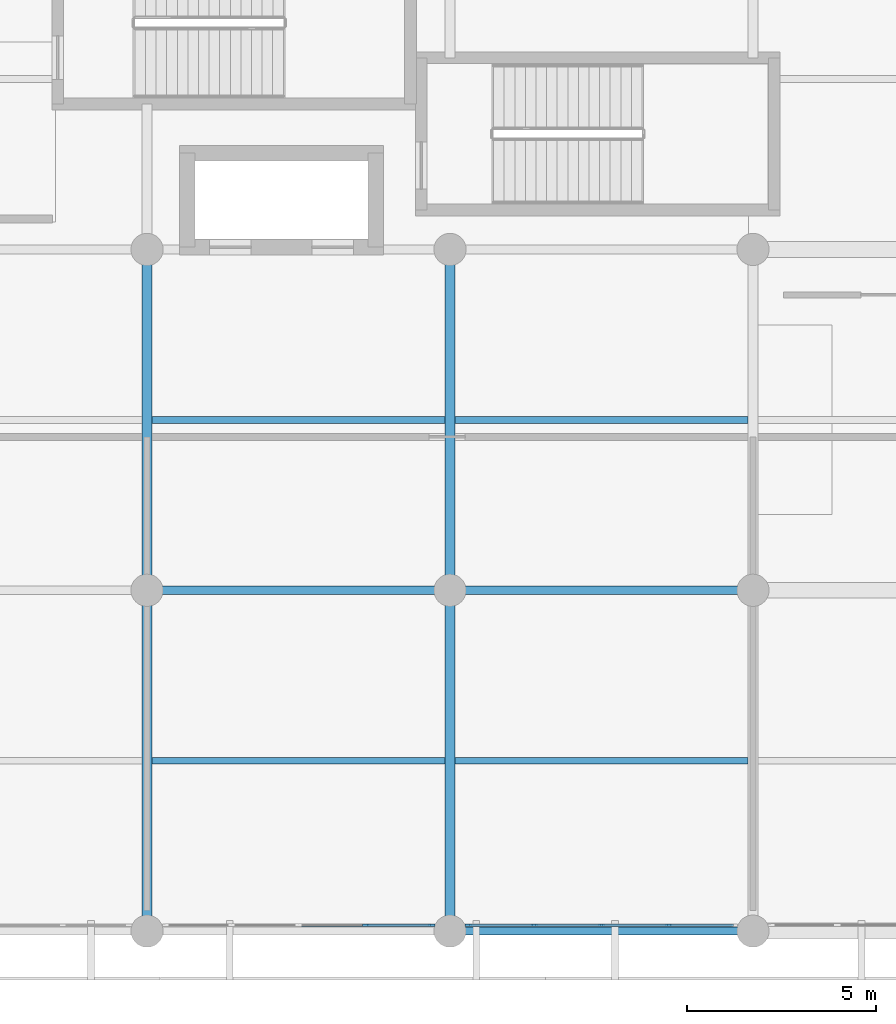
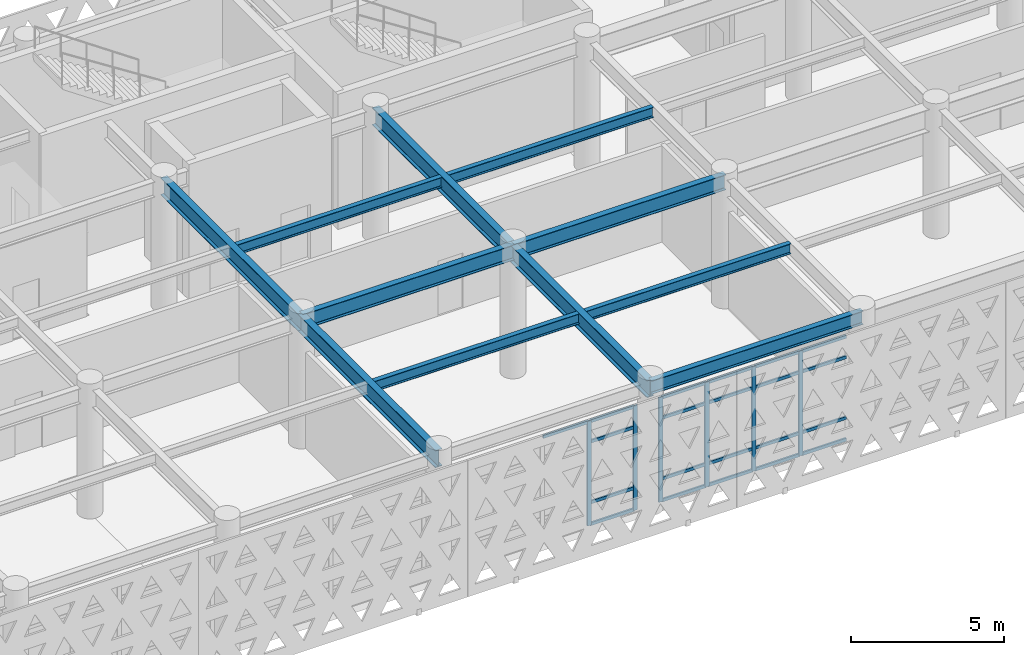
# One storey, part 21 of 84: 27 members, 11 beams, 2 elements without a shape of their own.
"""IFC4 building model written with IfcOpenShell, lengths in metres."""

from ifc_helpers import new_model, si_unit, direction, frame, origin, origin_2d, place, context, subcontext, project, spatial, rectangle, i_section, extrude, material, layer, layer_set, material_profile, profile_set, type_object, element, aggregate, save


model = new_model("IFC4")

# Units and contexts
model_context = context("Model", 3, precision=1e-05, world=origin(), true_north=direction((0.0, 1.0)))
body_context = subcontext(model_context, "Body", "Model", "MODEL_VIEW")
ifc_project = project(units=[si_unit("LENGTHUNIT", "METRE"), si_unit("AREAUNIT", "SQUARE_METRE"), si_unit("VOLUMEUNIT", "CUBIC_METRE"), si_unit("PLANEANGLEUNIT", "RADIAN"), si_unit("MASSUNIT", "GRAM", prefix="KILO")], contexts=[model_context])

# Site, building, storey
site_placement = place(None, origin())
site = spatial("IfcSite", under=ifc_project, at=site_placement, CompositionType="ELEMENT")
building_placement = place(site_placement, origin())
building = spatial("IfcBuilding", under=site, at=building_placement, Name="Tlacozan Convention Centre", CompositionType="ELEMENT")
storey_placement = place(building_placement, frame((0.0, 0.0, 6.0)))
storey = spatial("IfcBuildingStorey", under=building, at=storey_placement, Name="L01", CompositionType="ELEMENT", Elevation=6.0)

# Curtain wall, members
ifc_material_1 = material(Name="Dark Bronze Anodised Aluminium", Category="aluminium")
ifc_layer = layer(ifc_material_1, 0.159912109375)
ifc_layer_set = layer_set([ifc_layer], Name="Dark Bronze Anodised Aluminium")
curtain_wall_type = type_object("IfcCurtainWallType", Name="Unitised Congress L01 South CW02", PredefinedType="NOTDEFINED", material=ifc_layer_set)
curtain_wall_1_placement = place(storey_placement, origin())
curtain_wall_1 = element("IfcCurtainWall", 1, at=curtain_wall_1_placement, inside=storey, type_object=curtain_wall_type, Name="L01 CW-02 Run 65", PredefinedType="NOTDEFINED")
ifc_material_profile_1 = material_profile(ifc_material_1, rectangle(XDim=0.06494140625, YDim=0.159912109375, at=origin_2d()), Name="ALU 65x160")
ifc_profile_set_1 = profile_set([ifc_material_profile_1], Name="Dark Bronze Anodised Aluminium")
member_type_1 = type_object("IfcMemberType", Name="Curtain Wall Mullion 65x160", PredefinedType="MULLION", material=ifc_profile_set_1)
member_1_placement = place(storey_placement, frame((85.77490234375, 0.159912109375, 0.0), z_axis=(0.0, 0.0, 1.0), x_axis=(0.0, 1.0, 0.0)))
member_1 = element("IfcMember", 2, at=member_1_placement, type_object=member_type_1, Name="CW-02 mullion 4", PredefinedType="MULLION", context=body_context, shape_type="SweptSolid", body=[
    extrude(rectangle(XDim=0.06494140625, YDim=0.159912109375, at=origin_2d()), origin(), (0.0, 0.0, 1.0), 4.179931640625),
])
member_2_placement = place(storey_placement, frame((87.517578125, 0.159912109375, 0.0), z_axis=(0.0, 0.0, 1.0), x_axis=(0.0, 1.0, 0.0)))
member_2 = element("IfcMember", 3, at=member_2_placement, type_object=member_type_1, Name="CW-02 mullion 5", PredefinedType="MULLION", context=body_context, shape_type="SweptSolid", body=[
    extrude(rectangle(XDim=0.06494140625, YDim=0.159912109375, at=origin_2d()), origin(), (0.0, 0.0, 1.0), 4.179931640625),
])

curtain_wall_2_placement = place(storey_placement, origin())
curtain_wall_2 = element("IfcCurtainWall", 4, at=curtain_wall_2_placement, inside=storey, type_object=curtain_wall_type, Name="L01 CW-02 Run 66", PredefinedType="NOTDEFINED")
member_3_placement = place(storey_placement, frame((88.482421875, 0.159912109375, 0.0), z_axis=(0.0, 0.0, 1.0), x_axis=(0.0, 1.0, 0.0)))
member_3 = element("IfcMember", 5, at=member_3_placement, type_object=member_type_1, Name="CW-02 mullion 1", PredefinedType="MULLION", context=body_context, shape_type="SweptSolid", body=[
    extrude(rectangle(XDim=0.06494140625, YDim=0.159912109375, at=origin_2d()), origin(), (0.0, 0.0, 1.0), 4.179931640625),
])
member_4_placement = place(storey_placement, frame((90.22509765625, 0.159912109375, 0.0), z_axis=(0.0, 0.0, 1.0), x_axis=(0.0, 1.0, 0.0)))
member_4 = element("IfcMember", 6, at=member_4_placement, type_object=member_type_1, Name="CW-02 mullion 2", PredefinedType="MULLION", context=body_context, shape_type="SweptSolid", body=[
    extrude(rectangle(XDim=0.06494140625, YDim=0.159912109375, at=origin_2d()), origin(), (0.0, 0.0, 1.0), 4.179931640625),
])
member_5_placement = place(storey_placement, frame((92.0, 0.159912109375, 0.0), z_axis=(0.0, 0.0, 1.0), x_axis=(0.0, 1.0, 0.0)))
member_5 = element("IfcMember", 7, at=member_5_placement, type_object=member_type_1, Name="CW-02 mullion 3", PredefinedType="MULLION", context=body_context, shape_type="SweptSolid", body=[
    extrude(rectangle(XDim=0.06494140625, YDim=0.159912109375, at=origin_2d()), origin(), (0.0, 0.0, 1.0), 4.179931640625),
])
member_6_placement = place(storey_placement, frame((93.77490234375, 0.159912109375, 0.0), z_axis=(0.0, 0.0, 1.0), x_axis=(0.0, 1.0, 0.0)))
member_6 = element("IfcMember", 8, at=member_6_placement, type_object=member_type_1, Name="CW-02 mullion 4", PredefinedType="MULLION", context=body_context, shape_type="SweptSolid", body=[
    extrude(rectangle(XDim=0.06494140625, YDim=0.159912109375, at=origin_2d()), origin(), (0.0, 0.0, 1.0), 4.179931640625),
])

# Member
ifc_material_profile_2 = material_profile(ifc_material_1, rectangle(XDim=0.06494140625, YDim=0.125, at=origin_2d()), Name="ALU 65x125")
ifc_profile_set_2 = profile_set([ifc_material_profile_2], Name="Dark Bronze Anodised Aluminium")
member_type_2 = type_object("IfcMemberType", Name="Curtain Wall Transom 65x125", PredefinedType="USERDEFINED", material=ifc_profile_set_2)
member_7_placement = place(storey_placement, frame((84.032470703125, 0.159912109375, 4.1474609375), z_axis=(1.0, 0.0, 0.0), x_axis=(0.0, 1.0, 0.0)))
member_7 = element("IfcMember", 9, at=member_7_placement, type_object=member_type_2, Name="CW-02 transom 3.4", ObjectType="TRANSOM", PredefinedType="USERDEFINED", context=body_context, shape_type="SweptSolid", body=[
    extrude(rectangle(XDim=0.06494140625, YDim=0.125, at=origin_2d()), origin(), (0.0, 0.0, 1.0), 1.7099609375),
])

member_8_placement = place(storey_placement, frame((85.8076171875, 0.159912109375, 0.032470703125), z_axis=(1.0, 0.0, 0.0), x_axis=(0.0, 1.0, 0.0)))
member_8 = element("IfcMember", 10, at=member_8_placement, type_object=member_type_2, Name="CW-02 transom 4.1", ObjectType="TRANSOM", PredefinedType="USERDEFINED", context=body_context, shape_type="SweptSolid", body=[
    extrude(rectangle(XDim=0.06494140625, YDim=0.125, at=origin_2d()), origin(), (0.0, 0.0, 1.0), 1.677490234375),
])

member_9_placement = place(storey_placement, frame((85.8076171875, 0.159912109375, 0.89990234375), z_axis=(1.0, 0.0, 0.0), x_axis=(0.0, 1.0, 0.0)))
member_9 = element("IfcMember", 11, at=member_9_placement, type_object=member_type_2, Name="CW-02 transom 4.2", ObjectType="TRANSOM", PredefinedType="USERDEFINED", context=body_context, shape_type="SweptSolid", body=[
    extrude(rectangle(XDim=0.06494140625, YDim=0.125, at=origin_2d()), origin(), (0.0, 0.0, 1.0), 1.677490234375),
])

member_10_placement = place(storey_placement, frame((85.8076171875, 0.159912109375, 3.330078125), z_axis=(1.0, 0.0, 0.0), x_axis=(0.0, 1.0, 0.0)))
member_10 = element("IfcMember", 12, at=member_10_placement, type_object=member_type_2, Name="CW-02 transom 4.3", ObjectType="TRANSOM", PredefinedType="USERDEFINED", context=body_context, shape_type="SweptSolid", body=[
    extrude(rectangle(XDim=0.06494140625, YDim=0.125, at=origin_2d()), origin(), (0.0, 0.0, 1.0), 1.677490234375),
])

member_11_placement = place(storey_placement, frame((85.8076171875, 0.159912109375, 4.1474609375), z_axis=(1.0, 0.0, 0.0), x_axis=(0.0, 1.0, 0.0)))
member_11 = element("IfcMember", 13, at=member_11_placement, type_object=member_type_2, Name="CW-02 transom 4.4", ObjectType="TRANSOM", PredefinedType="USERDEFINED", context=body_context, shape_type="SweptSolid", body=[
    extrude(rectangle(XDim=0.06494140625, YDim=0.125, at=origin_2d()), origin(), (0.0, 0.0, 1.0), 1.677490234375),
])

aggregate(curtain_wall_1, [member_1, member_2, member_7, member_8, member_9, member_10, member_11])

member_12_placement = place(storey_placement, frame((88.514892578125, 0.159912109375, 0.032470703125), z_axis=(1.0, 0.0, 0.0), x_axis=(0.0, 1.0, 0.0)))
member_12 = element("IfcMember", 14, at=member_12_placement, type_object=member_type_2, Name="CW-02 transom 1.1", ObjectType="TRANSOM", PredefinedType="USERDEFINED", context=body_context, shape_type="SweptSolid", body=[
    extrude(rectangle(XDim=0.06494140625, YDim=0.125, at=origin_2d()), origin(), (0.0, 0.0, 1.0), 1.677490234375),
])

member_13_placement = place(storey_placement, frame((88.514892578125, 0.159912109375, 0.89990234375), z_axis=(1.0, 0.0, 0.0), x_axis=(0.0, 1.0, 0.0)))
member_13 = element("IfcMember", 15, at=member_13_placement, type_object=member_type_2, Name="CW-02 transom 1.2", ObjectType="TRANSOM", PredefinedType="USERDEFINED", context=body_context, shape_type="SweptSolid", body=[
    extrude(rectangle(XDim=0.06494140625, YDim=0.125, at=origin_2d()), origin(), (0.0, 0.0, 1.0), 1.677490234375),
])

member_14_placement = place(storey_placement, frame((88.514892578125, 0.159912109375, 3.330078125), z_axis=(1.0, 0.0, 0.0), x_axis=(0.0, 1.0, 0.0)))
member_14 = element("IfcMember", 16, at=member_14_placement, type_object=member_type_2, Name="CW-02 transom 1.3", ObjectType="TRANSOM", PredefinedType="USERDEFINED", context=body_context, shape_type="SweptSolid", body=[
    extrude(rectangle(XDim=0.06494140625, YDim=0.125, at=origin_2d()), origin(), (0.0, 0.0, 1.0), 1.677490234375),
])

member_15_placement = place(storey_placement, frame((88.514892578125, 0.159912109375, 4.1474609375), z_axis=(1.0, 0.0, 0.0), x_axis=(0.0, 1.0, 0.0)))
member_15 = element("IfcMember", 17, at=member_15_placement, type_object=member_type_2, Name="CW-02 transom 1.4", ObjectType="TRANSOM", PredefinedType="USERDEFINED", context=body_context, shape_type="SweptSolid", body=[
    extrude(rectangle(XDim=0.06494140625, YDim=0.125, at=origin_2d()), origin(), (0.0, 0.0, 1.0), 1.677490234375),
])

member_16_placement = place(storey_placement, frame((90.257568359375, 0.159912109375, 0.032470703125), z_axis=(1.0, 0.0, 0.0), x_axis=(0.0, 1.0, 0.0)))
member_16 = element("IfcMember", 18, at=member_16_placement, type_object=member_type_2, Name="CW-02 transom 2.1", ObjectType="TRANSOM", PredefinedType="USERDEFINED", context=body_context, shape_type="SweptSolid", body=[
    extrude(rectangle(XDim=0.06494140625, YDim=0.125, at=origin_2d()), origin(), (0.0, 0.0, 1.0), 1.7099609375),
])

member_17_placement = place(storey_placement, frame((90.257568359375, 0.159912109375, 0.89990234375), z_axis=(1.0, 0.0, 0.0), x_axis=(0.0, 1.0, 0.0)))
member_17 = element("IfcMember", 19, at=member_17_placement, type_object=member_type_2, Name="CW-02 transom 2.2", ObjectType="TRANSOM", PredefinedType="USERDEFINED", context=body_context, shape_type="SweptSolid", body=[
    extrude(rectangle(XDim=0.06494140625, YDim=0.125, at=origin_2d()), origin(), (0.0, 0.0, 1.0), 1.7099609375),
])

member_18_placement = place(storey_placement, frame((90.257568359375, 0.159912109375, 3.330078125), z_axis=(1.0, 0.0, 0.0), x_axis=(0.0, 1.0, 0.0)))
member_18 = element("IfcMember", 20, at=member_18_placement, type_object=member_type_2, Name="CW-02 transom 2.3", ObjectType="TRANSOM", PredefinedType="USERDEFINED", context=body_context, shape_type="SweptSolid", body=[
    extrude(rectangle(XDim=0.06494140625, YDim=0.125, at=origin_2d()), origin(), (0.0, 0.0, 1.0), 1.7099609375),
])

member_19_placement = place(storey_placement, frame((90.257568359375, 0.159912109375, 4.1474609375), z_axis=(1.0, 0.0, 0.0), x_axis=(0.0, 1.0, 0.0)))
member_19 = element("IfcMember", 21, at=member_19_placement, type_object=member_type_2, Name="CW-02 transom 2.4", ObjectType="TRANSOM", PredefinedType="USERDEFINED", context=body_context, shape_type="SweptSolid", body=[
    extrude(rectangle(XDim=0.06494140625, YDim=0.125, at=origin_2d()), origin(), (0.0, 0.0, 1.0), 1.7099609375),
])

member_20_placement = place(storey_placement, frame((92.032470703125, 0.159912109375, 0.032470703125), z_axis=(1.0, 0.0, 0.0), x_axis=(0.0, 1.0, 0.0)))
member_20 = element("IfcMember", 22, at=member_20_placement, type_object=member_type_2, Name="CW-02 transom 3.1", ObjectType="TRANSOM", PredefinedType="USERDEFINED", context=body_context, shape_type="SweptSolid", body=[
    extrude(rectangle(XDim=0.06494140625, YDim=0.125, at=origin_2d()), origin(), (0.0, 0.0, 1.0), 1.7099609375),
])

member_21_placement = place(storey_placement, frame((92.032470703125, 0.159912109375, 0.89990234375), z_axis=(1.0, 0.0, 0.0), x_axis=(0.0, 1.0, 0.0)))
member_21 = element("IfcMember", 23, at=member_21_placement, type_object=member_type_2, Name="CW-02 transom 3.2", ObjectType="TRANSOM", PredefinedType="USERDEFINED", context=body_context, shape_type="SweptSolid", body=[
    extrude(rectangle(XDim=0.06494140625, YDim=0.125, at=origin_2d()), origin(), (0.0, 0.0, 1.0), 1.7099609375),
])

member_22_placement = place(storey_placement, frame((92.032470703125, 0.159912109375, 3.330078125), z_axis=(1.0, 0.0, 0.0), x_axis=(0.0, 1.0, 0.0)))
member_22 = element("IfcMember", 24, at=member_22_placement, type_object=member_type_2, Name="CW-02 transom 3.3", ObjectType="TRANSOM", PredefinedType="USERDEFINED", context=body_context, shape_type="SweptSolid", body=[
    extrude(rectangle(XDim=0.06494140625, YDim=0.125, at=origin_2d()), origin(), (0.0, 0.0, 1.0), 1.7099609375),
])

member_23_placement = place(storey_placement, frame((92.032470703125, 0.159912109375, 4.1474609375), z_axis=(1.0, 0.0, 0.0), x_axis=(0.0, 1.0, 0.0)))
member_23 = element("IfcMember", 25, at=member_23_placement, type_object=member_type_2, Name="CW-02 transom 3.4", ObjectType="TRANSOM", PredefinedType="USERDEFINED", context=body_context, shape_type="SweptSolid", body=[
    extrude(rectangle(XDim=0.06494140625, YDim=0.125, at=origin_2d()), origin(), (0.0, 0.0, 1.0), 1.7099609375),
])

member_24_placement = place(storey_placement, frame((93.8076171875, 0.159912109375, 0.032470703125), z_axis=(1.0, 0.0, 0.0), x_axis=(0.0, 1.0, 0.0)))
member_24 = element("IfcMember", 26, at=member_24_placement, type_object=member_type_2, Name="CW-02 transom 4.1", ObjectType="TRANSOM", PredefinedType="USERDEFINED", context=body_context, shape_type="SweptSolid", body=[
    extrude(rectangle(XDim=0.06494140625, YDim=0.125, at=origin_2d()), origin(), (0.0, 0.0, 1.0), 1.677490234375),
])

member_25_placement = place(storey_placement, frame((93.8076171875, 0.159912109375, 0.89990234375), z_axis=(1.0, 0.0, 0.0), x_axis=(0.0, 1.0, 0.0)))
member_25 = element("IfcMember", 27, at=member_25_placement, type_object=member_type_2, Name="CW-02 transom 4.2", ObjectType="TRANSOM", PredefinedType="USERDEFINED", context=body_context, shape_type="SweptSolid", body=[
    extrude(rectangle(XDim=0.06494140625, YDim=0.125, at=origin_2d()), origin(), (0.0, 0.0, 1.0), 1.677490234375),
])

member_26_placement = place(storey_placement, frame((93.8076171875, 0.159912109375, 3.330078125), z_axis=(1.0, 0.0, 0.0), x_axis=(0.0, 1.0, 0.0)))
member_26 = element("IfcMember", 28, at=member_26_placement, type_object=member_type_2, Name="CW-02 transom 4.3", ObjectType="TRANSOM", PredefinedType="USERDEFINED", context=body_context, shape_type="SweptSolid", body=[
    extrude(rectangle(XDim=0.06494140625, YDim=0.125, at=origin_2d()), origin(), (0.0, 0.0, 1.0), 1.677490234375),
])

member_27_placement = place(storey_placement, frame((93.8076171875, 0.159912109375, 4.1474609375), z_axis=(1.0, 0.0, 0.0), x_axis=(0.0, 1.0, 0.0)))
member_27 = element("IfcMember", 29, at=member_27_placement, type_object=member_type_2, Name="CW-02 transom 4.4", ObjectType="TRANSOM", PredefinedType="USERDEFINED", context=body_context, shape_type="SweptSolid", body=[
    extrude(rectangle(XDim=0.06494140625, YDim=0.125, at=origin_2d()), origin(), (0.0, 0.0, 1.0), 1.677490234375),
])

aggregate(curtain_wall_2, [member_3, member_4, member_5, member_6, member_12, member_13, member_14, member_15, member_16, member_17, member_18, member_19, member_20, member_21, member_22, member_23, member_24, member_25, member_26, member_27])

# Beams
ifc_material_2 = material(Name="Steel ASTM A992 Grade 50", Category="steel")
ifc_material_profile_3 = material_profile(ifc_material_2, i_section(OverallWidth=0.22900390625, OverallDepth=0.612060546875, WebThickness=0.011962890625, FlangeThickness=0.01953125, FilletRadius=0.012939453125, at=origin_2d()), Name="IR 610x125.0")
ifc_profile_set_3 = profile_set([ifc_material_profile_3], Name="Steel ASTM A992 Grade 50")
beam_type_1 = type_object("IfcBeamType", Name="Floor Beam IR 610x125", PredefinedType="BEAM", material=ifc_profile_set_3)
for number, where, z_axis, x_axis, name in (
    (30, (80.0, 9.0, 4.833984375), (1.0, 0.0, 0.0), (0.0, 1.0, 0.0), "L01 Floor Beam IR 610x125 356"),
    (31, (88.0, 9.0, 4.833984375), (1.0, 0.0, 0.0), (0.0, 1.0, 0.0), "L01 Floor Beam IR 610x125 360"),
):
    element("IfcBeam", number, at=place(storey_placement, frame(where, z_axis=z_axis, x_axis=x_axis)), inside=storey, type_object=beam_type_1, Name=name, PredefinedType="BEAM", context=body_context, shape_type="SweptSolid", body=[
        extrude(i_section(OverallWidth=0.22900390625, OverallDepth=0.612060546875, WebThickness=0.011962890625, FlangeThickness=0.01953125, FilletRadius=0.012939453125, at=origin_2d()), origin(), (0.0, 0.0, 1.0), 8.0),
    ])
ifc_material_profile_4 = material_profile(ifc_material_2, i_section(OverallWidth=0.256103515625, OverallDepth=0.693115234375, WebThickness=0.014404296875, FlangeThickness=0.023681640625, FilletRadius=0.014892578125, at=origin_2d()), Name="IR 686x170.0")
ifc_profile_set_4 = profile_set([ifc_material_profile_4], Name="Steel ASTM A992 Grade 50")
beam_type_2 = type_object("IfcBeamType", Name="Girder Steel IR 686x170", PredefinedType="BEAM", material=ifc_profile_set_4)
for number, where, z_axis, x_axis, name in (
    (32, (80.0, 0.0, 4.79345703125), (0.0, 1.0, 0.0), (-1.0, 0.0, 0.0), "L01 Girder Steel IR 686x170 290"),
    (33, (80.0, 9.0, 4.79345703125), (0.0, 1.0, 0.0), (-1.0, 0.0, 0.0), "L01 Girder Steel IR 686x170 291"),
    (34, (88.0, 0.0, 4.79345703125), (0.0, 1.0, 0.0), (-1.0, 0.0, 0.0), "L01 Girder Steel IR 686x170 293"),
    (35, (88.0, 9.0, 4.79345703125), (0.0, 1.0, 0.0), (-1.0, 0.0, 0.0), "L01 Girder Steel IR 686x170 294"),
):
    element("IfcBeam", number, at=place(storey_placement, frame(where, z_axis=z_axis, x_axis=x_axis)), inside=storey, type_object=beam_type_2, Name=name, PredefinedType="BEAM", context=body_context, shape_type="SweptSolid", body=[
        extrude(i_section(OverallWidth=0.256103515625, OverallDepth=0.693115234375, WebThickness=0.014404296875, FlangeThickness=0.023681640625, FilletRadius=0.014892578125, at=origin_2d()), origin(), (0.0, 0.0, 1.0), 9.0),
    ])
ifc_material_profile_5 = material_profile(ifc_material_2, i_section(OverallWidth=0.2109375, OverallDepth=0.5390625, WebThickness=0.01171875, FlangeThickness=0.018798828125, FilletRadius=0.012939453125, at=origin_2d()), Name="IR 533x109.0")
ifc_profile_set_5 = profile_set([ifc_material_profile_5], Name="Steel ASTM A992 Grade 50")
beam_type_3 = type_object("IfcBeamType", Name="Perimeter Spandrel IR 533x109", PredefinedType="SPANDREL", material=ifc_profile_set_5)
beam_placement = place(storey_placement, frame((88.0, 0.0, 4.87060546875), z_axis=(1.0, 0.0, 0.0), x_axis=(0.0, 1.0, 0.0)))
element("IfcBeam", 36, at=beam_placement, inside=storey, type_object=beam_type_3, Name="L01 Perimeter Spandrel IR 533x109 359", PredefinedType="SPANDREL", context=body_context, shape_type="SweptSolid", body=[
    extrude(i_section(OverallWidth=0.2109375, OverallDepth=0.5390625, WebThickness=0.01171875, FlangeThickness=0.018798828125, FilletRadius=0.012939453125, at=origin_2d()), origin(), (0.0, 0.0, 1.0), 8.0),
])
ifc_material_profile_6 = material_profile(ifc_material_2, i_section(OverallWidth=0.179931640625, OverallDepth=0.4130859375, WebThickness=0.009765625, FlangeThickness=0.01611328125, FilletRadius=0.010986328125, at=origin_2d()), Name="IR 406x74.4")
ifc_profile_set_6 = profile_set([ifc_material_profile_6], Name="Steel ASTM A992 Grade 50")
beam_type_4 = type_object("IfcBeamType", Name="Secondary Joist IR 406x74.4", PredefinedType="JOIST", material=ifc_profile_set_6)
for number, where, z_axis, x_axis, name in (
    (37, (80.1259765625, 4.5, 4.93359375), (1.0, 0.0, 0.0), (0.0, 1.0, 0.0), "L01 Secondary Joist IR 406x74.4 388"),
    (38, (80.1259765625, 13.5, 4.93359375), (1.0, 0.0, 0.0), (0.0, 1.0, 0.0), "L01 Secondary Joist IR 406x74.4 389"),
    (39, (88.1259765625, 4.5, 4.93359375), (1.0, 0.0, 0.0), (0.0, 1.0, 0.0), "L01 Secondary Joist IR 406x74.4 390"),
    (40, (88.1259765625, 13.5, 4.93359375), (1.0, 0.0, 0.0), (0.0, 1.0, 0.0), "L01 Secondary Joist IR 406x74.4 391"),
):
    element("IfcBeam", number, at=place(storey_placement, frame(where, z_axis=z_axis, x_axis=x_axis)), inside=storey, type_object=beam_type_4, Name=name, PredefinedType="JOIST", context=body_context, shape_type="SweptSolid", body=[
        extrude(i_section(OverallWidth=0.179931640625, OverallDepth=0.4130859375, WebThickness=0.009765625, FlangeThickness=0.01611328125, FilletRadius=0.010986328125, at=origin_2d()), origin(), (0.0, 0.0, 1.0), 7.748046875),
    ])

save(model, "model.ifc")
